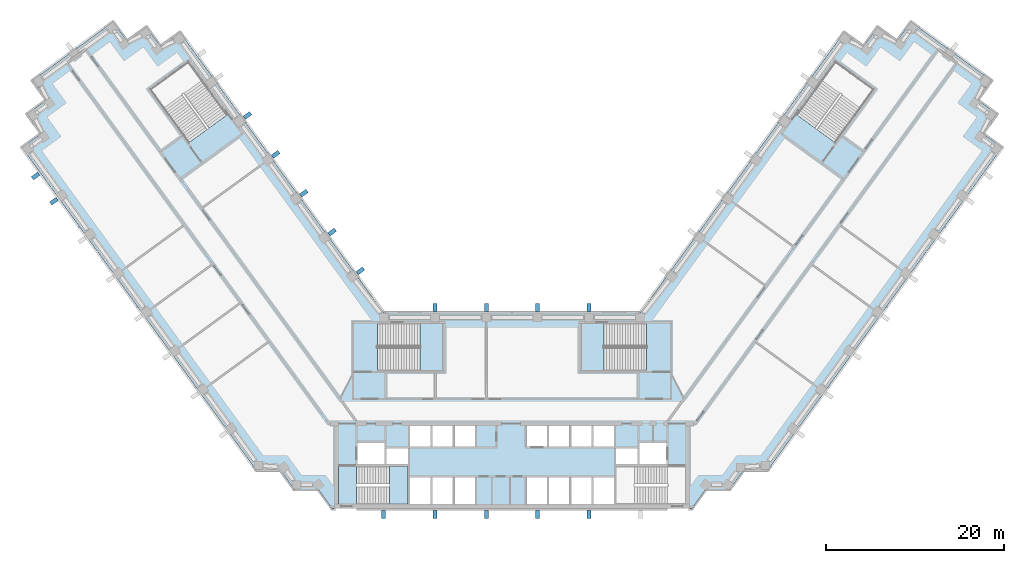
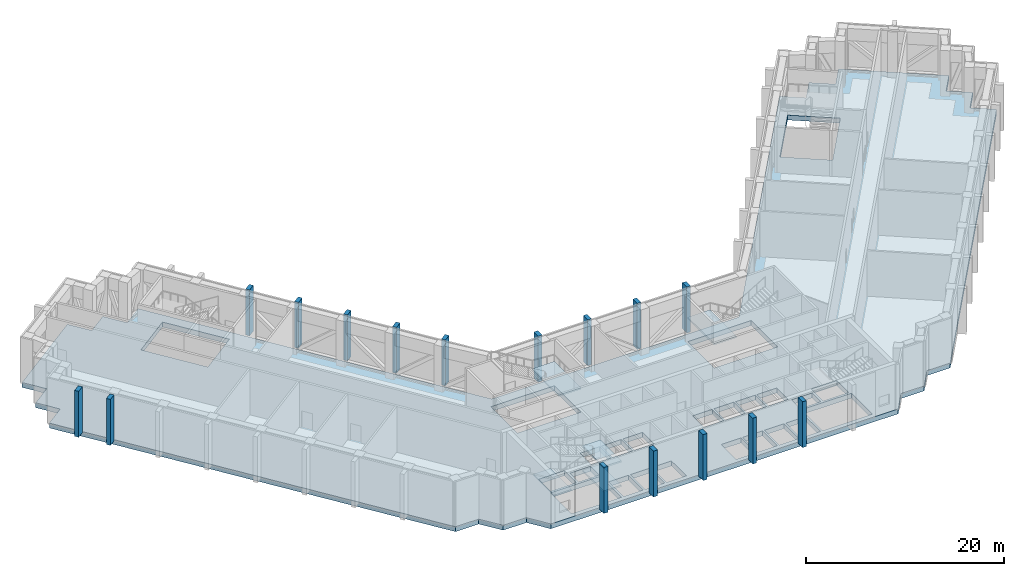
# One storey, part 5 of 19: 16 plates, 6 slabs, 3 elements without a shape of their own.
"""IFC4 building model written with IfcOpenShell, lengths in metres."""

from ifc_helpers import new_model, si_unit, direction, frame, origin, origin_2d, place, context, subcontext, project, spatial, polyline, rectangle, outline, extrude, material, layer, layer_set, type_object, element, aggregate, save


model = new_model("IFC4")

# Units and contexts
model_context = context("Model", 3, precision=1e-05, world=origin(), true_north=direction((0.0, 1.0)))
body_context = subcontext(model_context, "Body", "Model", "MODEL_VIEW")
ifc_project = project(units=[si_unit("LENGTHUNIT", "METRE"), si_unit("AREAUNIT", "SQUARE_METRE"), si_unit("VOLUMEUNIT", "CUBIC_METRE"), si_unit("PLANEANGLEUNIT", "RADIAN"), si_unit("MASSUNIT", "GRAM", prefix="KILO")], contexts=[model_context])

# Site, building, storey
site_placement = place(None, origin())
site = spatial("IfcSite", under=ifc_project, at=site_placement, CompositionType="ELEMENT")
building_placement = place(site_placement, origin())
building = spatial("IfcBuilding", under=site, at=building_placement, Name="Quipu Civic Tower", CompositionType="ELEMENT")
storey_placement = place(building_placement, frame((0.0, 0.0, 25.0)))
storey = spatial("IfcBuildingStorey", under=building, at=storey_placement, Name="L05", CompositionType="ELEMENT", Elevation=25.0)

# Slab
ifc_material_1 = material(Name="Concrete C40/50", Category="concrete")
ifc_layer_1 = layer(ifc_material_1, 0.60009765625)
ifc_layer_set_1 = layer_set([ifc_layer_1], Name="Concrete C40/50")
slab_type_1 = type_object("IfcSlabType", Name="Floor slab 600 C40/50", PredefinedType="FLOOR", material=ifc_layer_set_1)
slab_1_placement = place(storey_placement, frame((0.0, 0.0, -0.60009765625)))
element("IfcSlab", 1, at=slab_1_placement, inside=storey, type_object=slab_type_1, Name="Floor slab L05", PredefinedType="FLOOR", context=body_context, shape_type="SweptSolid", body=[
    extrude(outline(polyline([(37.31494140625, 42.550048828125), (39.5, 40.9599609375), (41.0849609375, 43.14501953125), (43.27001953125, 41.56005859375), (44.860107421875, 43.739990234375), (53.919921875, 37.159912109375), (52.3349609375, 34.97509765625), (54.514892578125, 33.389892578125), (52.929931640625, 31.205078125), (55.114990234375, 29.614990234375), (28.780029296875, -6.6298828125), (26.080078125, -6.6298828125), (24.489990234375, -8.81494140625), (21.7900390625, -8.81494140625), (20.205078125, -11.0), (-20.205078125, -11.0), (-21.7900390625, -8.81494140625), (-24.489990234375, -8.81494140625), (-26.080078125, -6.6298828125), (-28.780029296875, -6.6298828125), (-55.114990234375, 29.614990234375), (-52.929931640625, 31.205078125), (-54.514892578125, 33.389892578125), (-52.3349609375, 34.97509765625), (-53.919921875, 37.159912109375), (-44.860107421875, 43.739990234375), (-43.27001953125, 41.56005859375), (-41.0849609375, 43.14501953125), (-39.5, 40.9599609375), (-37.31494140625, 42.550048828125), (-14.39501953125, 11.0), (14.39501953125, 11.0), (37.31494140625, 42.550048828125)]), holes=[polyline([(-11.449951171875, -7.5), (-11.449951171875, -10.5), (-9.14990234375, -10.5), (-9.14990234375, -7.5), (-11.449951171875, -7.5)]), polyline([(-6.64990234375, -7.5), (-8.949951171875, -7.5), (-8.949951171875, -10.5), (-6.64990234375, -10.5), (-6.64990234375, -7.5)]), polyline([(-4.14990234375, -7.5), (-6.449951171875, -7.5), (-6.449951171875, -10.5), (-4.14990234375, -10.5), (-4.14990234375, -7.5)]), polyline([(1.64990234375, -7.5), (1.64990234375, -10.5), (3.949951171875, -10.5), (3.949951171875, -7.5), (1.64990234375, -7.5)]), polyline([(-11.705078125, -10.4951171875), (-11.705078125, -6.2548828125), (-17.4951171875, -6.2548828125), (-17.4951171875, -10.4951171875), (-11.705078125, -10.4951171875)]), polyline([(-11.699951171875, -4.25), (-14.10009765625, -4.25), (-14.10009765625, -6.0), (-11.699951171875, -6.0), (-11.699951171875, -4.25)]), polyline([(-17.35009765625, -3.60009765625), (-17.35009765625, -6.0), (-14.35009765625, -6.0), (-14.35009765625, -3.60009765625), (-17.35009765625, -3.60009765625)]), polyline([(-9.14990234375, -1.699951171875), (-11.449951171875, -1.699951171875), (-11.449951171875, -4.0), (-9.14990234375, -4.0), (-9.14990234375, -1.699951171875)]), polyline([(-6.64990234375, -1.699951171875), (-8.949951171875, -1.699951171875), (-8.949951171875, -4.0), (-6.64990234375, -4.0), (-6.64990234375, -1.699951171875)]), polyline([(-6.449951171875, -1.699951171875), (-6.449951171875, -4.0), (-4.14990234375, -4.0), (-4.14990234375, -1.699951171875), (-6.449951171875, -1.699951171875)]), polyline([(-7.7548828125, 4.5048828125), (-7.7548828125, 9.844970703125), (-15.14501953125, 9.844970703125), (-15.14501953125, 4.5048828125), (-7.7548828125, 4.5048828125)]), polyline([(-36.364990234375, 39.27490234375), (-40.68505859375, 36.135009765625), (-36.344970703125, 30.159912109375), (-32.02490234375, 33.300048828125), (-36.364990234375, 39.27490234375)]), polyline([(4.14990234375, -7.5), (4.14990234375, -10.5), (6.449951171875, -10.5), (6.449951171875, -7.5), (4.14990234375, -7.5)]), polyline([(8.949951171875, -7.5), (6.64990234375, -7.5), (6.64990234375, -10.5), (8.949951171875, -10.5), (8.949951171875, -7.5)]), polyline([(11.449951171875, -7.5), (9.14990234375, -7.5), (9.14990234375, -10.5), (11.449951171875, -10.5), (11.449951171875, -7.5)]), polyline([(11.705078125, -10.4951171875), (17.4951171875, -10.4951171875), (17.4951171875, -6.2548828125), (11.705078125, -6.2548828125), (11.705078125, -10.4951171875)]), polyline([(14.10009765625, -4.25), (11.699951171875, -4.25), (11.699951171875, -6.0), (14.10009765625, -6.0), (14.10009765625, -4.25)]), polyline([(17.35009765625, -3.60009765625), (14.35009765625, -3.60009765625), (14.35009765625, -6.0), (17.35009765625, -6.0), (17.35009765625, -3.60009765625)]), polyline([(1.64990234375, -1.699951171875), (1.64990234375, -4.0), (3.949951171875, -4.0), (3.949951171875, -1.699951171875), (1.64990234375, -1.699951171875)]), polyline([(6.449951171875, -1.699951171875), (4.14990234375, -1.699951171875), (4.14990234375, -4.0), (6.449951171875, -4.0), (6.449951171875, -1.699951171875)]), polyline([(8.949951171875, -1.699951171875), (6.64990234375, -1.699951171875), (6.64990234375, -4.0), (8.949951171875, -4.0), (8.949951171875, -1.699951171875)]), polyline([(9.14990234375, -1.699951171875), (9.14990234375, -4.0), (11.449951171875, -4.0), (11.449951171875, -1.699951171875), (9.14990234375, -1.699951171875)]), polyline([(7.7548828125, 9.844970703125), (7.7548828125, 4.5048828125), (15.14501953125, 4.5048828125), (15.14501953125, 9.844970703125), (7.7548828125, 9.844970703125)]), polyline([(40.68505859375, 36.135009765625), (36.364990234375, 39.27490234375), (32.02490234375, 33.300048828125), (36.344970703125, 30.159912109375), (40.68505859375, 36.135009765625)])]), origin(), (0.0, 0.0, 1.0), 0.60009765625),
])

# Plates
ifc_material_2 = material(Name="Precast concrete C40/50", Category="concrete")
plate_type = type_object("IfcPlateType", Name="Precast fin F1", PredefinedType="SHEET", material=ifc_material_2)
for number, where, z_axis, x_axis, name in (
    (2, (-17.052978515625, 15.74365234375, 0.0), (0.0, 0.0, 1.0), (-0.587784944053, 0.809017218324, 0.0), "Precast fin F1 L05.1.1"),
    (3, (-20.22705078125, 20.1123046875, 0.0), (0.0, 0.0, 1.0), (-0.587784944053, 0.809017218324, 0.0), "Precast fin F1 L05.1.2"),
    (4, (-23.401123046875, 24.481201171875, 0.0), (0.0, 0.0, 1.0), (-0.587784944053, 0.809017218324, 0.0), "Precast fin F1 L05.1.3"),
    (5, (-26.5751953125, 28.849853515625, 0.0), (0.0, 0.0, 1.0), (-0.587784944053, 0.809017218324, 0.0), "Precast fin F1 L05.1.4"),
    (6, (-29.749267578125, 33.218505859375, 0.0), (0.0, 0.0, 1.0), (-0.587784944053, 0.809017218324, 0.0), "Precast fin F1 L05.1.5"),
    (7, (-53.57177734375, 26.407958984375, 0.0), (0.0, 0.0, 1.0), (0.587785716149, -0.809016657363, 0.0), "Precast fin F1 L05.11.1"),
    (8, (-51.51318359375, 23.57421875, 0.0), (0.0, 0.0, 1.0), (0.587785716149, -0.809016657363, 0.0), "Precast fin F1 L05.11.2"),
    (9, (-14.431884765625, -11.637939453125, 0.0), (0.0, 0.0, 1.0), (1.0, 0.0, 0.0), "Precast fin F1 L05.19.1"),
    (10, (-8.658935546875, -11.637939453125, 0.0), (0.0, 0.0, 1.0), (1.0, 0.0, 0.0), "Precast fin F1 L05.19.2"),
    (11, (-2.885986328125, -11.637939453125, 0.0), (0.0, 0.0, 1.0), (1.0, 0.0, 0.0), "Precast fin F1 L05.19.3"),
    (12, (2.885986328125, -11.637939453125, 0.0), (0.0, 0.0, 1.0), (1.0, 0.0, 0.0), "Precast fin F1 L05.19.4"),
    (13, (8.658935546875, -11.637939453125, 0.0), (0.0, 0.0, 1.0), (1.0, 0.0, 0.0), "Precast fin F1 L05.19.5"),
    (14, (8.63720703125, 11.637939453125, 0.0), (0.0, 0.0, 1.0), (-1.0, 0.0, 0.0), "Precast fin F1 L05.38.1"),
    (15, (2.879150390625, 11.637939453125, 0.0), (0.0, 0.0, 1.0), (-1.0, 0.0, 0.0), "Precast fin F1 L05.38.2"),
    (16, (-2.87890625, 11.637939453125, 0.0), (0.0, 0.0, 1.0), (-1.0, 0.0, 0.0), "Precast fin F1 L05.38.3"),
    (17, (-8.63671875, 11.637939453125, 0.0), (0.0, 0.0, 1.0), (-1.0, 0.0, 0.0), "Precast fin F1 L05.38.4"),
):
    element("IfcPlate", number, at=place(storey_placement, frame(where, z_axis=z_axis, x_axis=x_axis)), inside=storey, type_object=plate_type, Name=name, PredefinedType="SHEET", context=body_context, shape_type="SweptSolid", body=[
        extrude(rectangle(XDim=0.449951171875, YDim=0.89990234375, at=origin_2d()), origin(), (0.0, 0.0, 1.0), 5.64990234375),
    ])

# Stair, slabs
ifc_material_3 = material(Name="Concrete C40/50", Category="concrete")
stair_type_1 = type_object("IfcStairType", Name="Half turn stair 2000", PredefinedType="HALF_TURN_STAIR", material=ifc_material_3)
stair_1_placement = place(storey_placement, origin())
stair_1 = element("IfcStair", 18, at=stair_1_placement, inside=storey, type_object=stair_type_1, Name="Exit stair 1", PredefinedType="HALF_TURN_STAIR")
ifc_material_4 = material(Name="Concrete C40/50", Category="concrete")
ifc_layer_2 = layer(ifc_material_4, 0.199951171875)
ifc_layer_set_2 = layer_set([ifc_layer_2], Name="Concrete C40/50")
slab_type_2 = type_object("IfcSlabType", Name="Stair landing 200", PredefinedType="LANDING", material=ifc_layer_set_2)
slab_2_placement = place(storey_placement, frame((0.0, 0.0, 1.300048828125)))
slab_2 = element("IfcSlab", 19, at=slab_2_placement, type_object=slab_type_2, Name="ST-1 landing 1", PredefinedType="LANDING", context=body_context, shape_type="SweptSolid", body=[
    extrude(outline(polyline([(-13.780029296875, -10.5), (-11.699951171875, -10.5), (-11.699951171875, -6.25), (-13.780029296875, -6.25), (-13.780029296875, -10.5)])), origin(), (0.0, 0.0, 1.0), 0.199951171875),
])
slab_3_placement = place(storey_placement, frame((0.0, 0.0, 2.800048828125)))
slab_3 = element("IfcSlab", 20, at=slab_3_placement, type_object=slab_type_2, Name="ST-1 landing 2", PredefinedType="LANDING", context=body_context, shape_type="SweptSolid", body=[
    extrude(outline(polyline([(-19.5, -10.5), (-17.5, -10.5), (-17.5, -6.25), (-19.5, -6.25), (-19.5, -10.5)])), origin(), (0.0, 0.0, 1.0), 0.199951171875),
])
slab_4_placement = place(storey_placement, frame((0.0, 0.0, 4.300048828125)))
slab_4 = element("IfcSlab", 21, at=slab_4_placement, type_object=slab_type_2, Name="ST-1 landing 3", PredefinedType="LANDING", context=body_context, shape_type="SweptSolid", body=[
    extrude(outline(polyline([(-13.780029296875, -10.5), (-11.699951171875, -10.5), (-11.699951171875, -6.25), (-13.780029296875, -6.25), (-13.780029296875, -10.5)])), origin(), (0.0, 0.0, 1.0), 0.199951171875),
])
aggregate(stair_1, [slab_2, slab_3, slab_4])

# Stair, slab
ifc_material_5 = material(Name="Concrete C40/50", Category="concrete")
stair_type_2 = type_object("IfcStairType", Name="Half turn stair 2600", PredefinedType="HALF_TURN_STAIR", material=ifc_material_5)
stair_2_placement = place(storey_placement, origin())
stair_2 = element("IfcStair", 22, at=stair_2_placement, inside=storey, type_object=stair_type_2, Name="Exit stair 3", PredefinedType="HALF_TURN_STAIR")
slab_5_placement = place(storey_placement, frame((0.0, 0.0, 2.800048828125)))
slab_5 = element("IfcSlab", 23, at=slab_5_placement, type_object=slab_type_2, Name="ST-3 landing 1", PredefinedType="LANDING", context=body_context, shape_type="SweptSolid", body=[
    extrude(outline(polyline([(-10.35009765625, 4.5), (-7.75, 4.5), (-7.75, 9.85009765625), (-10.35009765625, 9.85009765625), (-10.35009765625, 4.5)])), origin(), (0.0, 0.0, 1.0), 0.199951171875),
])
aggregate(stair_2, [slab_5])

stair_3_placement = place(storey_placement, origin())
stair_3 = element("IfcStair", 24, at=stair_3_placement, inside=storey, type_object=stair_type_2, Name="Exit stair 4", PredefinedType="HALF_TURN_STAIR")
slab_6_placement = place(storey_placement, frame((0.0, 0.0, 2.800048828125)))
slab_6 = element("IfcSlab", 25, at=slab_6_placement, type_object=slab_type_2, Name="ST-4 landing 1", PredefinedType="LANDING", context=body_context, shape_type="SweptSolid", body=[
    extrude(outline(polyline([(10.35009765625, 9.85009765625), (7.75, 9.85009765625), (7.75, 4.5), (10.35009765625, 4.5), (10.35009765625, 9.85009765625)])), origin(), (0.0, 0.0, 1.0), 0.199951171875),
])
aggregate(stair_3, [slab_6])

save(model, "model.ifc")
